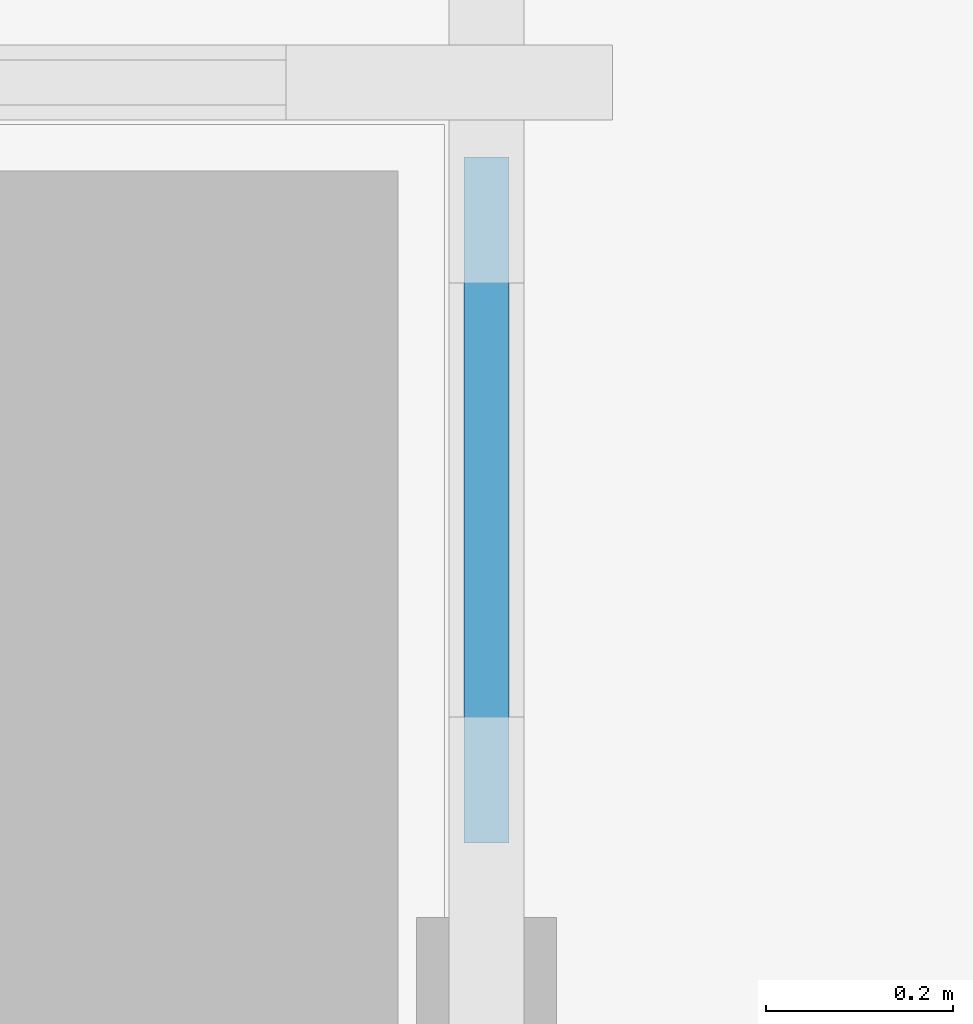
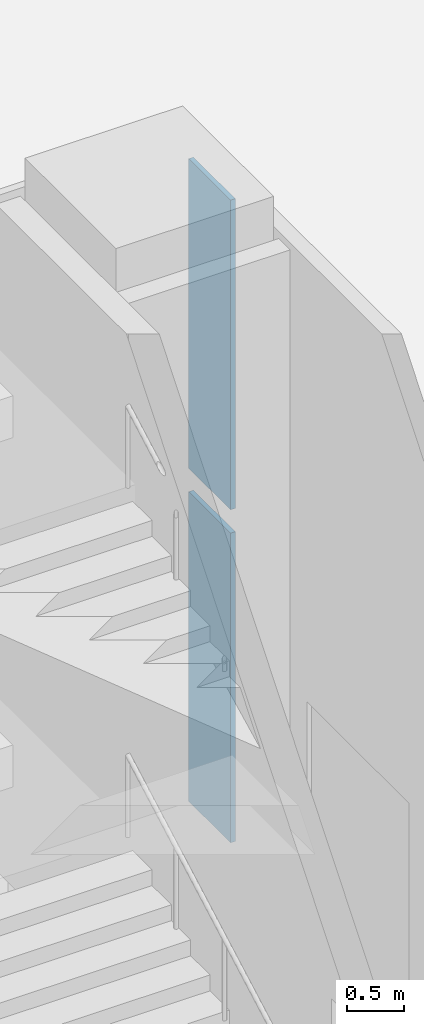
# One storey, part 10 of 21: 2 plates, 2 elements without a shape of their own.
"""IFC4 building model written with IfcOpenShell, lengths in metres."""

from ifc_helpers import new_model, si_unit, direction, frame, origin, origin_2d, place, context, subcontext, project, spatial, rectangle, extrude, material, layer, layer_set, type_object, element, aggregate, save


model = new_model("IFC4")

# Units and contexts
model_context = context("Model", 3, precision=1e-05, world=origin(), true_north=direction((0.0, 1.0)))
body_context = subcontext(model_context, "Body", "Model", "MODEL_VIEW")
ifc_project = project(units=[si_unit("LENGTHUNIT", "METRE"), si_unit("AREAUNIT", "SQUARE_METRE"), si_unit("VOLUMEUNIT", "CUBIC_METRE"), si_unit("PLANEANGLEUNIT", "RADIAN"), si_unit("MASSUNIT", "GRAM", prefix="KILO")], contexts=[model_context])

# Site, building, storey
site_placement = place(None, origin())
site = spatial("IfcSite", under=ifc_project, at=site_placement, CompositionType="ELEMENT")
building_placement = place(site_placement, origin())
building = spatial("IfcBuilding", under=site, at=building_placement, Name="Pilkhan Gate Tower", CompositionType="ELEMENT")
storey_placement = place(building_placement, origin())
storey = spatial("IfcBuildingStorey", under=building, at=storey_placement, Name="L00", CompositionType="ELEMENT", Elevation=0.0)

# Curtain wall, plate
ifc_material_1 = material(Name="Pale anodised aluminium, clear low-iron laminated glazing", Category="aluminium")
curtain_wall_type = type_object("IfcCurtainWallType", Name="Podium unitised curtain wall CW-P", PredefinedType="USERDEFINED", material=ifc_material_1)
curtain_wall_1_placement = place(storey_placement, origin())
curtain_wall_1 = element("IfcCurtainWall", 1, at=curtain_wall_1_placement, inside=storey, type_object=curtain_wall_type, Name="Podium unitised curtain wall CW-P L00 E", ObjectType="UNITISED CURTAIN WALL", PredefinedType="USERDEFINED")
ifc_material_2 = material(Name="Clear low-iron laminated glazing", Category="glass")
ifc_layer = layer(ifc_material_2, 0.048095703125)
ifc_layer_set = layer_set([ifc_layer], Name="Glass panel CW-P 48")
plate_type = type_object("IfcPlateType", Name="Glass panel CW-P 48", PredefinedType="CURTAIN_PANEL", material=ifc_layer_set)
plate_1_placement = place(storey_placement, frame((113.39501953125, 94.197509765625, 0.0), z_axis=(0.0, 0.0, 1.0), x_axis=(0.0, 1.0, 0.0)))
plate_1 = element("IfcPlate", 2, at=plate_1_placement, type_object=plate_type, Name="CW-P panel 1", PredefinedType="CURTAIN_PANEL", context=body_context, shape_type="SweptSolid", body=[
    extrude(rectangle(XDim=0.735107421875, YDim=0.048095703125, at=origin_2d()), origin(), (0.0, 0.0, 1.0), 3.324951171875),
])
aggregate(curtain_wall_1, [plate_1])

curtain_wall_2_placement = place(storey_placement, origin())
curtain_wall_2 = element("IfcCurtainWall", 3, at=curtain_wall_2_placement, inside=storey, type_object=curtain_wall_type, Name="Podium unitised curtain wall CW-P L00 E", ObjectType="UNITISED CURTAIN WALL", PredefinedType="USERDEFINED")
plate_2_placement = place(storey_placement, frame((113.39501953125, 94.197509765625, 3.5751953125), z_axis=(0.0, 0.0, 1.0), x_axis=(0.0, 1.0, 0.0)))
plate_2 = element("IfcPlate", 4, at=plate_2_placement, type_object=plate_type, Name="CW-P panel 1", PredefinedType="CURTAIN_PANEL", context=body_context, shape_type="SweptSolid", body=[
    extrude(rectangle(XDim=0.735107421875, YDim=0.048095703125, at=origin_2d()), origin(), (0.0, 0.0, 1.0), 3.324951171875),
])
aggregate(curtain_wall_2, [plate_2])

save(model, "model.ifc")
